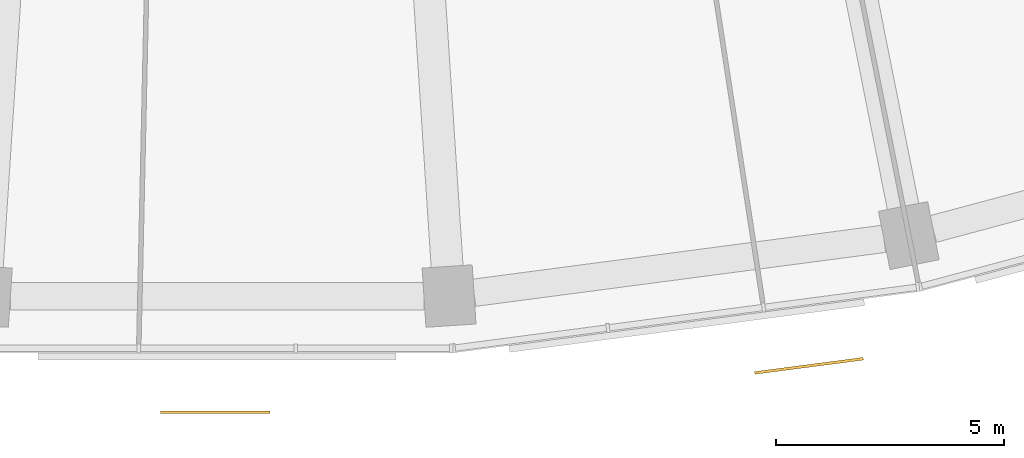
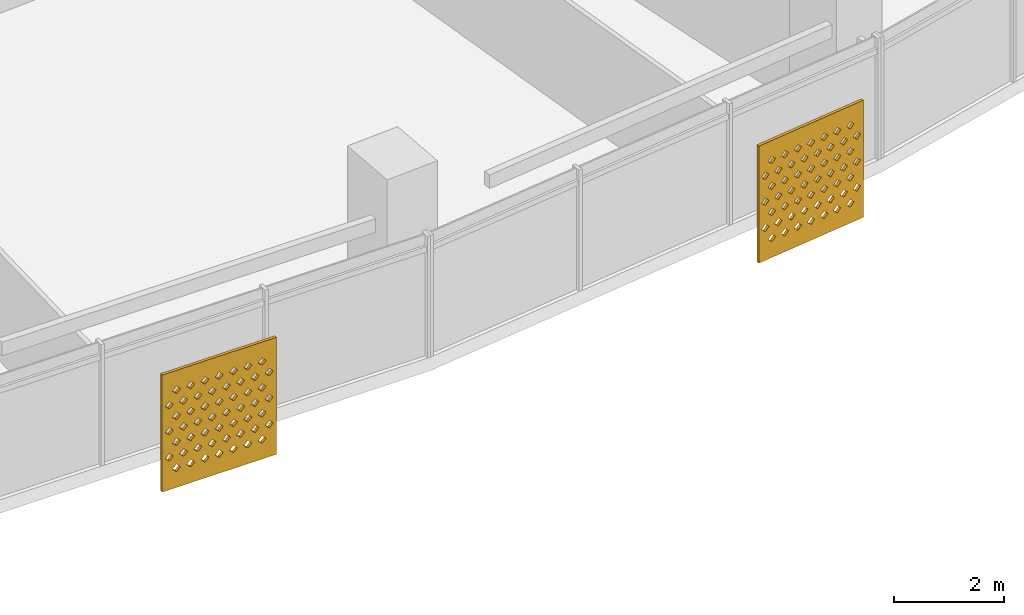
# One storey, part 25 of 27: 2 shading devices.
"""IFC4 building model written with IfcOpenShell, lengths in metres."""

from ifc_helpers import new_model, si_unit, direction, frame, origin, place, context, subcontext, project, spatial, polyline, outline, extrude, material, material_profile, profile_set, type_object, element, save


model = new_model("IFC4")

# Units and contexts
model_context = context("Model", 3, precision=1e-05, world=origin(), true_north=direction((0.0, 1.0)))
body_context = subcontext(model_context, "Body", "Model", "MODEL_VIEW")
ifc_project = project(units=[si_unit("LENGTHUNIT", "METRE"), si_unit("AREAUNIT", "SQUARE_METRE"), si_unit("VOLUMEUNIT", "CUBIC_METRE"), si_unit("PLANEANGLEUNIT", "RADIAN"), si_unit("MASSUNIT", "GRAM", prefix="KILO")], contexts=[model_context])

# Site, building, storey
site_placement = place(None, origin())
site = spatial("IfcSite", under=ifc_project, at=site_placement, CompositionType="ELEMENT")
building_placement = place(site_placement, origin())
building = spatial("IfcBuilding", under=site, at=building_placement, Name="Qamariyya Broadcast Tower", CompositionType="ELEMENT")
storey_placement = place(building_placement, frame((0.0, 0.0, 153.10009765625)))
storey = spatial("IfcBuildingStorey", under=building, at=storey_placement, Name="L35", CompositionType="ELEMENT", Elevation=153.10009765625)

# Shading devices
ifc_material = material(Name="Perforated glazed terracotta", Category="masonry")
ifc_material_profile = material_profile(ifc_material, outline(polyline([(-1.199951171875, -1.300048828125), (1.199951171875, -1.300048828125), (1.199951171875, 1.300048828125), (-1.199951171875, 1.300048828125), (-1.199951171875, -1.300048828125)]), holes=[polyline([(-0.81494140625, -0.86669921875), (-0.89990234375, -0.78173828125), (-0.985107421875, -0.86669921875), (-0.89990234375, -0.95166015625), (-0.81494140625, -0.86669921875)]), polyline([(-0.514892578125, -0.86669921875), (-0.60009765625, -0.78173828125), (-0.68505859375, -0.86669921875), (-0.60009765625, -0.95166015625), (-0.514892578125, -0.86669921875)]), polyline([(-0.215087890625, -0.86669921875), (-0.300048828125, -0.78173828125), (-0.385009765625, -0.86669921875), (-0.300048828125, -0.95166015625), (-0.215087890625, -0.86669921875)]), polyline([(0.0849609375, -0.86669921875), (0.0, -0.78173828125), (-0.0849609375, -0.86669921875), (0.0, -0.95166015625), (0.0849609375, -0.86669921875)]), polyline([(0.385009765625, -0.86669921875), (0.300048828125, -0.78173828125), (0.215087890625, -0.86669921875), (0.300048828125, -0.95166015625), (0.385009765625, -0.86669921875)]), polyline([(0.68505859375, -0.86669921875), (0.60009765625, -0.78173828125), (0.514892578125, -0.86669921875), (0.60009765625, -0.95166015625), (0.68505859375, -0.86669921875)]), polyline([(0.985107421875, -0.86669921875), (0.89990234375, -0.78173828125), (0.81494140625, -0.86669921875), (0.89990234375, -0.95166015625), (0.985107421875, -0.86669921875)]), polyline([(-0.965087890625, -0.577880859375), (-1.050048828125, -0.49267578125), (-1.135009765625, -0.577880859375), (-1.050048828125, -0.662841796875), (-0.965087890625, -0.577880859375)]), polyline([(-0.6650390625, -0.577880859375), (-0.75, -0.49267578125), (-0.8349609375, -0.577880859375), (-0.75, -0.662841796875), (-0.6650390625, -0.577880859375)]), polyline([(-0.364990234375, -0.577880859375), (-0.449951171875, -0.49267578125), (-0.534912109375, -0.577880859375), (-0.449951171875, -0.662841796875), (-0.364990234375, -0.577880859375)]), polyline([(-0.06494140625, -0.577880859375), (-0.14990234375, -0.49267578125), (-0.235107421875, -0.577880859375), (-0.14990234375, -0.662841796875), (-0.06494140625, -0.577880859375)]), polyline([(0.235107421875, -0.577880859375), (0.14990234375, -0.49267578125), (0.06494140625, -0.577880859375), (0.14990234375, -0.662841796875), (0.235107421875, -0.577880859375)]), polyline([(0.534912109375, -0.577880859375), (0.449951171875, -0.49267578125), (0.364990234375, -0.577880859375), (0.449951171875, -0.662841796875), (0.534912109375, -0.577880859375)]), polyline([(0.8349609375, -0.577880859375), (0.75, -0.49267578125), (0.6650390625, -0.577880859375), (0.75, -0.662841796875), (0.8349609375, -0.577880859375)]), polyline([(1.135009765625, -0.577880859375), (1.050048828125, -0.49267578125), (0.965087890625, -0.577880859375), (1.050048828125, -0.662841796875), (1.135009765625, -0.577880859375)]), polyline([(-0.81494140625, -0.288818359375), (-0.89990234375, -0.203857421875), (-0.985107421875, -0.288818359375), (-0.89990234375, -0.373779296875), (-0.81494140625, -0.288818359375)]), polyline([(-0.514892578125, -0.288818359375), (-0.60009765625, -0.203857421875), (-0.68505859375, -0.288818359375), (-0.60009765625, -0.373779296875), (-0.514892578125, -0.288818359375)]), polyline([(-0.215087890625, -0.288818359375), (-0.300048828125, -0.203857421875), (-0.385009765625, -0.288818359375), (-0.300048828125, -0.373779296875), (-0.215087890625, -0.288818359375)]), polyline([(0.0849609375, -0.288818359375), (0.0, -0.203857421875), (-0.0849609375, -0.288818359375), (0.0, -0.373779296875), (0.0849609375, -0.288818359375)]), polyline([(0.385009765625, -0.288818359375), (0.300048828125, -0.203857421875), (0.215087890625, -0.288818359375), (0.300048828125, -0.373779296875), (0.385009765625, -0.288818359375)]), polyline([(0.68505859375, -0.288818359375), (0.60009765625, -0.203857421875), (0.514892578125, -0.288818359375), (0.60009765625, -0.373779296875), (0.68505859375, -0.288818359375)]), polyline([(0.985107421875, -0.288818359375), (0.89990234375, -0.203857421875), (0.81494140625, -0.288818359375), (0.89990234375, -0.373779296875), (0.985107421875, -0.288818359375)]), polyline([(-0.965087890625, 0.0), (-1.050048828125, 0.0849609375), (-1.135009765625, 0.0), (-1.050048828125, -0.0849609375), (-0.965087890625, 0.0)]), polyline([(-0.6650390625, 0.0), (-0.75, 0.0849609375), (-0.8349609375, 0.0), (-0.75, -0.0849609375), (-0.6650390625, 0.0)]), polyline([(-0.364990234375, 0.0), (-0.449951171875, 0.0849609375), (-0.534912109375, 0.0), (-0.449951171875, -0.0849609375), (-0.364990234375, 0.0)]), polyline([(-0.06494140625, 0.0), (-0.14990234375, 0.0849609375), (-0.235107421875, 0.0), (-0.14990234375, -0.0849609375), (-0.06494140625, 0.0)]), polyline([(0.235107421875, 0.0), (0.14990234375, 0.0849609375), (0.06494140625, 0.0), (0.14990234375, -0.0849609375), (0.235107421875, 0.0)]), polyline([(0.534912109375, 0.0), (0.449951171875, 0.0849609375), (0.364990234375, 0.0), (0.449951171875, -0.0849609375), (0.534912109375, 0.0)]), polyline([(0.8349609375, 0.0), (0.75, 0.0849609375), (0.6650390625, 0.0), (0.75, -0.0849609375), (0.8349609375, 0.0)]), polyline([(1.135009765625, 0.0), (1.050048828125, 0.0849609375), (0.965087890625, 0.0), (1.050048828125, -0.0849609375), (1.135009765625, 0.0)]), polyline([(-0.81494140625, 0.288818359375), (-0.89990234375, 0.373779296875), (-0.985107421875, 0.288818359375), (-0.89990234375, 0.203857421875), (-0.81494140625, 0.288818359375)]), polyline([(-0.514892578125, 0.288818359375), (-0.60009765625, 0.373779296875), (-0.68505859375, 0.288818359375), (-0.60009765625, 0.203857421875), (-0.514892578125, 0.288818359375)]), polyline([(-0.215087890625, 0.288818359375), (-0.300048828125, 0.373779296875), (-0.385009765625, 0.288818359375), (-0.300048828125, 0.203857421875), (-0.215087890625, 0.288818359375)]), polyline([(0.0849609375, 0.288818359375), (0.0, 0.373779296875), (-0.0849609375, 0.288818359375), (0.0, 0.203857421875), (0.0849609375, 0.288818359375)]), polyline([(0.385009765625, 0.288818359375), (0.300048828125, 0.373779296875), (0.215087890625, 0.288818359375), (0.300048828125, 0.203857421875), (0.385009765625, 0.288818359375)]), polyline([(0.68505859375, 0.288818359375), (0.60009765625, 0.373779296875), (0.514892578125, 0.288818359375), (0.60009765625, 0.203857421875), (0.68505859375, 0.288818359375)]), polyline([(0.985107421875, 0.288818359375), (0.89990234375, 0.373779296875), (0.81494140625, 0.288818359375), (0.89990234375, 0.203857421875), (0.985107421875, 0.288818359375)]), polyline([(-0.965087890625, 0.577880859375), (-1.050048828125, 0.662841796875), (-1.135009765625, 0.577880859375), (-1.050048828125, 0.49267578125), (-0.965087890625, 0.577880859375)]), polyline([(-0.6650390625, 0.577880859375), (-0.75, 0.662841796875), (-0.8349609375, 0.577880859375), (-0.75, 0.49267578125), (-0.6650390625, 0.577880859375)]), polyline([(-0.364990234375, 0.577880859375), (-0.449951171875, 0.662841796875), (-0.534912109375, 0.577880859375), (-0.449951171875, 0.49267578125), (-0.364990234375, 0.577880859375)]), polyline([(-0.06494140625, 0.577880859375), (-0.14990234375, 0.662841796875), (-0.235107421875, 0.577880859375), (-0.14990234375, 0.49267578125), (-0.06494140625, 0.577880859375)]), polyline([(0.235107421875, 0.577880859375), (0.14990234375, 0.662841796875), (0.06494140625, 0.577880859375), (0.14990234375, 0.49267578125), (0.235107421875, 0.577880859375)]), polyline([(0.534912109375, 0.577880859375), (0.449951171875, 0.662841796875), (0.364990234375, 0.577880859375), (0.449951171875, 0.49267578125), (0.534912109375, 0.577880859375)]), polyline([(0.8349609375, 0.577880859375), (0.75, 0.662841796875), (0.6650390625, 0.577880859375), (0.75, 0.49267578125), (0.8349609375, 0.577880859375)]), polyline([(1.135009765625, 0.577880859375), (1.050048828125, 0.662841796875), (0.965087890625, 0.577880859375), (1.050048828125, 0.49267578125), (1.135009765625, 0.577880859375)]), polyline([(-0.81494140625, 0.86669921875), (-0.89990234375, 0.95166015625), (-0.985107421875, 0.86669921875), (-0.89990234375, 0.78173828125), (-0.81494140625, 0.86669921875)]), polyline([(-0.514892578125, 0.86669921875), (-0.60009765625, 0.95166015625), (-0.68505859375, 0.86669921875), (-0.60009765625, 0.78173828125), (-0.514892578125, 0.86669921875)]), polyline([(-0.215087890625, 0.86669921875), (-0.300048828125, 0.95166015625), (-0.385009765625, 0.86669921875), (-0.300048828125, 0.78173828125), (-0.215087890625, 0.86669921875)]), polyline([(0.0849609375, 0.86669921875), (0.0, 0.95166015625), (-0.0849609375, 0.86669921875), (0.0, 0.78173828125), (0.0849609375, 0.86669921875)]), polyline([(0.385009765625, 0.86669921875), (0.300048828125, 0.95166015625), (0.215087890625, 0.86669921875), (0.300048828125, 0.78173828125), (0.385009765625, 0.86669921875)]), polyline([(0.68505859375, 0.86669921875), (0.60009765625, 0.95166015625), (0.514892578125, 0.86669921875), (0.60009765625, 0.78173828125), (0.68505859375, 0.86669921875)]), polyline([(0.985107421875, 0.86669921875), (0.89990234375, 0.95166015625), (0.81494140625, 0.86669921875), (0.89990234375, 0.78173828125), (0.985107421875, 0.86669921875)])]))
ifc_profile_set = profile_set([ifc_material_profile], Name="Perforated glazed terracotta")
shading_device_type = type_object("IfcShadingDeviceType", Name="Perforated terracotta screen 2400 x 2600", PredefinedType="USERDEFINED", material=ifc_profile_set)
shading_device_1_placement = place(storey_placement, frame((-0.041748046875, -80.100830078125, 1.349853515625), z_axis=(0.0, -1.0, 0.0), x_axis=(1.0, 0.0, 0.0)))
element("IfcShadingDevice", 1, at=shading_device_1_placement, inside=storey, type_object=shading_device_type, Name="e-scr-L35-07-1", ObjectType="SCREEN", PredefinedType="USERDEFINED", context=body_context, shape_type="SweptSolid", body=[
    extrude(outline(polyline([(-1.199951171875, -1.300048828125), (1.199951171875, -1.300048828125), (1.199951171875, 1.300048828125), (-1.199951171875, 1.300048828125), (-1.199951171875, -1.300048828125)]), holes=[polyline([(-0.81494140625, -0.86669921875), (-0.89990234375, -0.78173828125), (-0.985107421875, -0.86669921875), (-0.89990234375, -0.95166015625), (-0.81494140625, -0.86669921875)]), polyline([(-0.514892578125, -0.86669921875), (-0.60009765625, -0.78173828125), (-0.68505859375, -0.86669921875), (-0.60009765625, -0.95166015625), (-0.514892578125, -0.86669921875)]), polyline([(-0.215087890625, -0.86669921875), (-0.300048828125, -0.78173828125), (-0.385009765625, -0.86669921875), (-0.300048828125, -0.95166015625), (-0.215087890625, -0.86669921875)]), polyline([(0.0849609375, -0.86669921875), (0.0, -0.78173828125), (-0.0849609375, -0.86669921875), (0.0, -0.95166015625), (0.0849609375, -0.86669921875)]), polyline([(0.385009765625, -0.86669921875), (0.300048828125, -0.78173828125), (0.215087890625, -0.86669921875), (0.300048828125, -0.95166015625), (0.385009765625, -0.86669921875)]), polyline([(0.68505859375, -0.86669921875), (0.60009765625, -0.78173828125), (0.514892578125, -0.86669921875), (0.60009765625, -0.95166015625), (0.68505859375, -0.86669921875)]), polyline([(0.985107421875, -0.86669921875), (0.89990234375, -0.78173828125), (0.81494140625, -0.86669921875), (0.89990234375, -0.95166015625), (0.985107421875, -0.86669921875)]), polyline([(-0.965087890625, -0.577880859375), (-1.050048828125, -0.49267578125), (-1.135009765625, -0.577880859375), (-1.050048828125, -0.662841796875), (-0.965087890625, -0.577880859375)]), polyline([(-0.6650390625, -0.577880859375), (-0.75, -0.49267578125), (-0.8349609375, -0.577880859375), (-0.75, -0.662841796875), (-0.6650390625, -0.577880859375)]), polyline([(-0.364990234375, -0.577880859375), (-0.449951171875, -0.49267578125), (-0.534912109375, -0.577880859375), (-0.449951171875, -0.662841796875), (-0.364990234375, -0.577880859375)]), polyline([(-0.06494140625, -0.577880859375), (-0.14990234375, -0.49267578125), (-0.235107421875, -0.577880859375), (-0.14990234375, -0.662841796875), (-0.06494140625, -0.577880859375)]), polyline([(0.235107421875, -0.577880859375), (0.14990234375, -0.49267578125), (0.06494140625, -0.577880859375), (0.14990234375, -0.662841796875), (0.235107421875, -0.577880859375)]), polyline([(0.534912109375, -0.577880859375), (0.449951171875, -0.49267578125), (0.364990234375, -0.577880859375), (0.449951171875, -0.662841796875), (0.534912109375, -0.577880859375)]), polyline([(0.8349609375, -0.577880859375), (0.75, -0.49267578125), (0.6650390625, -0.577880859375), (0.75, -0.662841796875), (0.8349609375, -0.577880859375)]), polyline([(1.135009765625, -0.577880859375), (1.050048828125, -0.49267578125), (0.965087890625, -0.577880859375), (1.050048828125, -0.662841796875), (1.135009765625, -0.577880859375)]), polyline([(-0.81494140625, -0.288818359375), (-0.89990234375, -0.203857421875), (-0.985107421875, -0.288818359375), (-0.89990234375, -0.373779296875), (-0.81494140625, -0.288818359375)]), polyline([(-0.514892578125, -0.288818359375), (-0.60009765625, -0.203857421875), (-0.68505859375, -0.288818359375), (-0.60009765625, -0.373779296875), (-0.514892578125, -0.288818359375)]), polyline([(-0.215087890625, -0.288818359375), (-0.300048828125, -0.203857421875), (-0.385009765625, -0.288818359375), (-0.300048828125, -0.373779296875), (-0.215087890625, -0.288818359375)]), polyline([(0.0849609375, -0.288818359375), (0.0, -0.203857421875), (-0.0849609375, -0.288818359375), (0.0, -0.373779296875), (0.0849609375, -0.288818359375)]), polyline([(0.385009765625, -0.288818359375), (0.300048828125, -0.203857421875), (0.215087890625, -0.288818359375), (0.300048828125, -0.373779296875), (0.385009765625, -0.288818359375)]), polyline([(0.68505859375, -0.288818359375), (0.60009765625, -0.203857421875), (0.514892578125, -0.288818359375), (0.60009765625, -0.373779296875), (0.68505859375, -0.288818359375)]), polyline([(0.985107421875, -0.288818359375), (0.89990234375, -0.203857421875), (0.81494140625, -0.288818359375), (0.89990234375, -0.373779296875), (0.985107421875, -0.288818359375)]), polyline([(-0.965087890625, 0.0), (-1.050048828125, 0.0849609375), (-1.135009765625, 0.0), (-1.050048828125, -0.0849609375), (-0.965087890625, 0.0)]), polyline([(-0.6650390625, 0.0), (-0.75, 0.0849609375), (-0.8349609375, 0.0), (-0.75, -0.0849609375), (-0.6650390625, 0.0)]), polyline([(-0.364990234375, 0.0), (-0.449951171875, 0.0849609375), (-0.534912109375, 0.0), (-0.449951171875, -0.0849609375), (-0.364990234375, 0.0)]), polyline([(-0.06494140625, 0.0), (-0.14990234375, 0.0849609375), (-0.235107421875, 0.0), (-0.14990234375, -0.0849609375), (-0.06494140625, 0.0)]), polyline([(0.235107421875, 0.0), (0.14990234375, 0.0849609375), (0.06494140625, 0.0), (0.14990234375, -0.0849609375), (0.235107421875, 0.0)]), polyline([(0.534912109375, 0.0), (0.449951171875, 0.0849609375), (0.364990234375, 0.0), (0.449951171875, -0.0849609375), (0.534912109375, 0.0)]), polyline([(0.8349609375, 0.0), (0.75, 0.0849609375), (0.6650390625, 0.0), (0.75, -0.0849609375), (0.8349609375, 0.0)]), polyline([(1.135009765625, 0.0), (1.050048828125, 0.0849609375), (0.965087890625, 0.0), (1.050048828125, -0.0849609375), (1.135009765625, 0.0)]), polyline([(-0.81494140625, 0.288818359375), (-0.89990234375, 0.373779296875), (-0.985107421875, 0.288818359375), (-0.89990234375, 0.203857421875), (-0.81494140625, 0.288818359375)]), polyline([(-0.514892578125, 0.288818359375), (-0.60009765625, 0.373779296875), (-0.68505859375, 0.288818359375), (-0.60009765625, 0.203857421875), (-0.514892578125, 0.288818359375)]), polyline([(-0.215087890625, 0.288818359375), (-0.300048828125, 0.373779296875), (-0.385009765625, 0.288818359375), (-0.300048828125, 0.203857421875), (-0.215087890625, 0.288818359375)]), polyline([(0.0849609375, 0.288818359375), (0.0, 0.373779296875), (-0.0849609375, 0.288818359375), (0.0, 0.203857421875), (0.0849609375, 0.288818359375)]), polyline([(0.385009765625, 0.288818359375), (0.300048828125, 0.373779296875), (0.215087890625, 0.288818359375), (0.300048828125, 0.203857421875), (0.385009765625, 0.288818359375)]), polyline([(0.68505859375, 0.288818359375), (0.60009765625, 0.373779296875), (0.514892578125, 0.288818359375), (0.60009765625, 0.203857421875), (0.68505859375, 0.288818359375)]), polyline([(0.985107421875, 0.288818359375), (0.89990234375, 0.373779296875), (0.81494140625, 0.288818359375), (0.89990234375, 0.203857421875), (0.985107421875, 0.288818359375)]), polyline([(-0.965087890625, 0.577880859375), (-1.050048828125, 0.662841796875), (-1.135009765625, 0.577880859375), (-1.050048828125, 0.49267578125), (-0.965087890625, 0.577880859375)]), polyline([(-0.6650390625, 0.577880859375), (-0.75, 0.662841796875), (-0.8349609375, 0.577880859375), (-0.75, 0.49267578125), (-0.6650390625, 0.577880859375)]), polyline([(-0.364990234375, 0.577880859375), (-0.449951171875, 0.662841796875), (-0.534912109375, 0.577880859375), (-0.449951171875, 0.49267578125), (-0.364990234375, 0.577880859375)]), polyline([(-0.06494140625, 0.577880859375), (-0.14990234375, 0.662841796875), (-0.235107421875, 0.577880859375), (-0.14990234375, 0.49267578125), (-0.06494140625, 0.577880859375)]), polyline([(0.235107421875, 0.577880859375), (0.14990234375, 0.662841796875), (0.06494140625, 0.577880859375), (0.14990234375, 0.49267578125), (0.235107421875, 0.577880859375)]), polyline([(0.534912109375, 0.577880859375), (0.449951171875, 0.662841796875), (0.364990234375, 0.577880859375), (0.449951171875, 0.49267578125), (0.534912109375, 0.577880859375)]), polyline([(0.8349609375, 0.577880859375), (0.75, 0.662841796875), (0.6650390625, 0.577880859375), (0.75, 0.49267578125), (0.8349609375, 0.577880859375)]), polyline([(1.135009765625, 0.577880859375), (1.050048828125, 0.662841796875), (0.965087890625, 0.577880859375), (1.050048828125, 0.49267578125), (1.135009765625, 0.577880859375)]), polyline([(-0.81494140625, 0.86669921875), (-0.89990234375, 0.95166015625), (-0.985107421875, 0.86669921875), (-0.89990234375, 0.78173828125), (-0.81494140625, 0.86669921875)]), polyline([(-0.514892578125, 0.86669921875), (-0.60009765625, 0.95166015625), (-0.68505859375, 0.86669921875), (-0.60009765625, 0.78173828125), (-0.514892578125, 0.86669921875)]), polyline([(-0.215087890625, 0.86669921875), (-0.300048828125, 0.95166015625), (-0.385009765625, 0.86669921875), (-0.300048828125, 0.78173828125), (-0.215087890625, 0.86669921875)]), polyline([(0.0849609375, 0.86669921875), (0.0, 0.95166015625), (-0.0849609375, 0.86669921875), (0.0, 0.78173828125), (0.0849609375, 0.86669921875)]), polyline([(0.385009765625, 0.86669921875), (0.300048828125, 0.95166015625), (0.215087890625, 0.86669921875), (0.300048828125, 0.78173828125), (0.385009765625, 0.86669921875)]), polyline([(0.68505859375, 0.86669921875), (0.60009765625, 0.95166015625), (0.514892578125, 0.86669921875), (0.60009765625, 0.78173828125), (0.68505859375, 0.86669921875)]), polyline([(0.985107421875, 0.86669921875), (0.89990234375, 0.95166015625), (0.81494140625, 0.86669921875), (0.89990234375, 0.78173828125), (0.985107421875, 0.86669921875)])]), origin(), (0.0, 0.0, 1.0), 0.06005859375),
])
shading_device_2_placement = place(storey_placement, frame((12.975341796875, -79.083740234375, 1.349853515625), z_axis=(0.1300340368, -0.991509530601, 0.0), x_axis=(0.991509530601, 0.1300340368, 0.0)))
element("IfcShadingDevice", 2, at=shading_device_2_placement, inside=storey, type_object=shading_device_type, Name="e-scr-L35-08-2", ObjectType="SCREEN", PredefinedType="USERDEFINED", context=body_context, shape_type="SweptSolid", body=[
    extrude(outline(polyline([(-1.199951171875, -1.300048828125), (1.199951171875, -1.300048828125), (1.199951171875, 1.300048828125), (-1.199951171875, 1.300048828125), (-1.199951171875, -1.300048828125)]), holes=[polyline([(-0.81494140625, -0.86669921875), (-0.89990234375, -0.78173828125), (-0.985107421875, -0.86669921875), (-0.89990234375, -0.95166015625), (-0.81494140625, -0.86669921875)]), polyline([(-0.514892578125, -0.86669921875), (-0.60009765625, -0.78173828125), (-0.68505859375, -0.86669921875), (-0.60009765625, -0.95166015625), (-0.514892578125, -0.86669921875)]), polyline([(-0.215087890625, -0.86669921875), (-0.300048828125, -0.78173828125), (-0.385009765625, -0.86669921875), (-0.300048828125, -0.95166015625), (-0.215087890625, -0.86669921875)]), polyline([(0.0849609375, -0.86669921875), (0.0, -0.78173828125), (-0.0849609375, -0.86669921875), (0.0, -0.95166015625), (0.0849609375, -0.86669921875)]), polyline([(0.385009765625, -0.86669921875), (0.300048828125, -0.78173828125), (0.215087890625, -0.86669921875), (0.300048828125, -0.95166015625), (0.385009765625, -0.86669921875)]), polyline([(0.68505859375, -0.86669921875), (0.60009765625, -0.78173828125), (0.514892578125, -0.86669921875), (0.60009765625, -0.95166015625), (0.68505859375, -0.86669921875)]), polyline([(0.985107421875, -0.86669921875), (0.89990234375, -0.78173828125), (0.81494140625, -0.86669921875), (0.89990234375, -0.95166015625), (0.985107421875, -0.86669921875)]), polyline([(-0.965087890625, -0.577880859375), (-1.050048828125, -0.49267578125), (-1.135009765625, -0.577880859375), (-1.050048828125, -0.662841796875), (-0.965087890625, -0.577880859375)]), polyline([(-0.6650390625, -0.577880859375), (-0.75, -0.49267578125), (-0.8349609375, -0.577880859375), (-0.75, -0.662841796875), (-0.6650390625, -0.577880859375)]), polyline([(-0.364990234375, -0.577880859375), (-0.449951171875, -0.49267578125), (-0.534912109375, -0.577880859375), (-0.449951171875, -0.662841796875), (-0.364990234375, -0.577880859375)]), polyline([(-0.06494140625, -0.577880859375), (-0.14990234375, -0.49267578125), (-0.235107421875, -0.577880859375), (-0.14990234375, -0.662841796875), (-0.06494140625, -0.577880859375)]), polyline([(0.235107421875, -0.577880859375), (0.14990234375, -0.49267578125), (0.06494140625, -0.577880859375), (0.14990234375, -0.662841796875), (0.235107421875, -0.577880859375)]), polyline([(0.534912109375, -0.577880859375), (0.449951171875, -0.49267578125), (0.364990234375, -0.577880859375), (0.449951171875, -0.662841796875), (0.534912109375, -0.577880859375)]), polyline([(0.8349609375, -0.577880859375), (0.75, -0.49267578125), (0.6650390625, -0.577880859375), (0.75, -0.662841796875), (0.8349609375, -0.577880859375)]), polyline([(1.135009765625, -0.577880859375), (1.050048828125, -0.49267578125), (0.965087890625, -0.577880859375), (1.050048828125, -0.662841796875), (1.135009765625, -0.577880859375)]), polyline([(-0.81494140625, -0.288818359375), (-0.89990234375, -0.203857421875), (-0.985107421875, -0.288818359375), (-0.89990234375, -0.373779296875), (-0.81494140625, -0.288818359375)]), polyline([(-0.514892578125, -0.288818359375), (-0.60009765625, -0.203857421875), (-0.68505859375, -0.288818359375), (-0.60009765625, -0.373779296875), (-0.514892578125, -0.288818359375)]), polyline([(-0.215087890625, -0.288818359375), (-0.300048828125, -0.203857421875), (-0.385009765625, -0.288818359375), (-0.300048828125, -0.373779296875), (-0.215087890625, -0.288818359375)]), polyline([(0.0849609375, -0.288818359375), (0.0, -0.203857421875), (-0.0849609375, -0.288818359375), (0.0, -0.373779296875), (0.0849609375, -0.288818359375)]), polyline([(0.385009765625, -0.288818359375), (0.300048828125, -0.203857421875), (0.215087890625, -0.288818359375), (0.300048828125, -0.373779296875), (0.385009765625, -0.288818359375)]), polyline([(0.68505859375, -0.288818359375), (0.60009765625, -0.203857421875), (0.514892578125, -0.288818359375), (0.60009765625, -0.373779296875), (0.68505859375, -0.288818359375)]), polyline([(0.985107421875, -0.288818359375), (0.89990234375, -0.203857421875), (0.81494140625, -0.288818359375), (0.89990234375, -0.373779296875), (0.985107421875, -0.288818359375)]), polyline([(-0.965087890625, 0.0), (-1.050048828125, 0.0849609375), (-1.135009765625, 0.0), (-1.050048828125, -0.0849609375), (-0.965087890625, 0.0)]), polyline([(-0.6650390625, 0.0), (-0.75, 0.0849609375), (-0.8349609375, 0.0), (-0.75, -0.0849609375), (-0.6650390625, 0.0)]), polyline([(-0.364990234375, 0.0), (-0.449951171875, 0.0849609375), (-0.534912109375, 0.0), (-0.449951171875, -0.0849609375), (-0.364990234375, 0.0)]), polyline([(-0.06494140625, 0.0), (-0.14990234375, 0.0849609375), (-0.235107421875, 0.0), (-0.14990234375, -0.0849609375), (-0.06494140625, 0.0)]), polyline([(0.235107421875, 0.0), (0.14990234375, 0.0849609375), (0.06494140625, 0.0), (0.14990234375, -0.0849609375), (0.235107421875, 0.0)]), polyline([(0.534912109375, 0.0), (0.449951171875, 0.0849609375), (0.364990234375, 0.0), (0.449951171875, -0.0849609375), (0.534912109375, 0.0)]), polyline([(0.8349609375, 0.0), (0.75, 0.0849609375), (0.6650390625, 0.0), (0.75, -0.0849609375), (0.8349609375, 0.0)]), polyline([(1.135009765625, 0.0), (1.050048828125, 0.0849609375), (0.965087890625, 0.0), (1.050048828125, -0.0849609375), (1.135009765625, 0.0)]), polyline([(-0.81494140625, 0.288818359375), (-0.89990234375, 0.373779296875), (-0.985107421875, 0.288818359375), (-0.89990234375, 0.203857421875), (-0.81494140625, 0.288818359375)]), polyline([(-0.514892578125, 0.288818359375), (-0.60009765625, 0.373779296875), (-0.68505859375, 0.288818359375), (-0.60009765625, 0.203857421875), (-0.514892578125, 0.288818359375)]), polyline([(-0.215087890625, 0.288818359375), (-0.300048828125, 0.373779296875), (-0.385009765625, 0.288818359375), (-0.300048828125, 0.203857421875), (-0.215087890625, 0.288818359375)]), polyline([(0.0849609375, 0.288818359375), (0.0, 0.373779296875), (-0.0849609375, 0.288818359375), (0.0, 0.203857421875), (0.0849609375, 0.288818359375)]), polyline([(0.385009765625, 0.288818359375), (0.300048828125, 0.373779296875), (0.215087890625, 0.288818359375), (0.300048828125, 0.203857421875), (0.385009765625, 0.288818359375)]), polyline([(0.68505859375, 0.288818359375), (0.60009765625, 0.373779296875), (0.514892578125, 0.288818359375), (0.60009765625, 0.203857421875), (0.68505859375, 0.288818359375)]), polyline([(0.985107421875, 0.288818359375), (0.89990234375, 0.373779296875), (0.81494140625, 0.288818359375), (0.89990234375, 0.203857421875), (0.985107421875, 0.288818359375)]), polyline([(-0.965087890625, 0.577880859375), (-1.050048828125, 0.662841796875), (-1.135009765625, 0.577880859375), (-1.050048828125, 0.49267578125), (-0.965087890625, 0.577880859375)]), polyline([(-0.6650390625, 0.577880859375), (-0.75, 0.662841796875), (-0.8349609375, 0.577880859375), (-0.75, 0.49267578125), (-0.6650390625, 0.577880859375)]), polyline([(-0.364990234375, 0.577880859375), (-0.449951171875, 0.662841796875), (-0.534912109375, 0.577880859375), (-0.449951171875, 0.49267578125), (-0.364990234375, 0.577880859375)]), polyline([(-0.06494140625, 0.577880859375), (-0.14990234375, 0.662841796875), (-0.235107421875, 0.577880859375), (-0.14990234375, 0.49267578125), (-0.06494140625, 0.577880859375)]), polyline([(0.235107421875, 0.577880859375), (0.14990234375, 0.662841796875), (0.06494140625, 0.577880859375), (0.14990234375, 0.49267578125), (0.235107421875, 0.577880859375)]), polyline([(0.534912109375, 0.577880859375), (0.449951171875, 0.662841796875), (0.364990234375, 0.577880859375), (0.449951171875, 0.49267578125), (0.534912109375, 0.577880859375)]), polyline([(0.8349609375, 0.577880859375), (0.75, 0.662841796875), (0.6650390625, 0.577880859375), (0.75, 0.49267578125), (0.8349609375, 0.577880859375)]), polyline([(1.135009765625, 0.577880859375), (1.050048828125, 0.662841796875), (0.965087890625, 0.577880859375), (1.050048828125, 0.49267578125), (1.135009765625, 0.577880859375)]), polyline([(-0.81494140625, 0.86669921875), (-0.89990234375, 0.95166015625), (-0.985107421875, 0.86669921875), (-0.89990234375, 0.78173828125), (-0.81494140625, 0.86669921875)]), polyline([(-0.514892578125, 0.86669921875), (-0.60009765625, 0.95166015625), (-0.68505859375, 0.86669921875), (-0.60009765625, 0.78173828125), (-0.514892578125, 0.86669921875)]), polyline([(-0.215087890625, 0.86669921875), (-0.300048828125, 0.95166015625), (-0.385009765625, 0.86669921875), (-0.300048828125, 0.78173828125), (-0.215087890625, 0.86669921875)]), polyline([(0.0849609375, 0.86669921875), (0.0, 0.95166015625), (-0.0849609375, 0.86669921875), (0.0, 0.78173828125), (0.0849609375, 0.86669921875)]), polyline([(0.385009765625, 0.86669921875), (0.300048828125, 0.95166015625), (0.215087890625, 0.86669921875), (0.300048828125, 0.78173828125), (0.385009765625, 0.86669921875)]), polyline([(0.68505859375, 0.86669921875), (0.60009765625, 0.95166015625), (0.514892578125, 0.86669921875), (0.60009765625, 0.78173828125), (0.68505859375, 0.86669921875)]), polyline([(0.985107421875, 0.86669921875), (0.89990234375, 0.95166015625), (0.81494140625, 0.86669921875), (0.89990234375, 0.78173828125), (0.985107421875, 0.86669921875)])]), origin(), (0.0, 0.0, 1.0), 0.06005859375),
])

save(model, "model.ifc")
